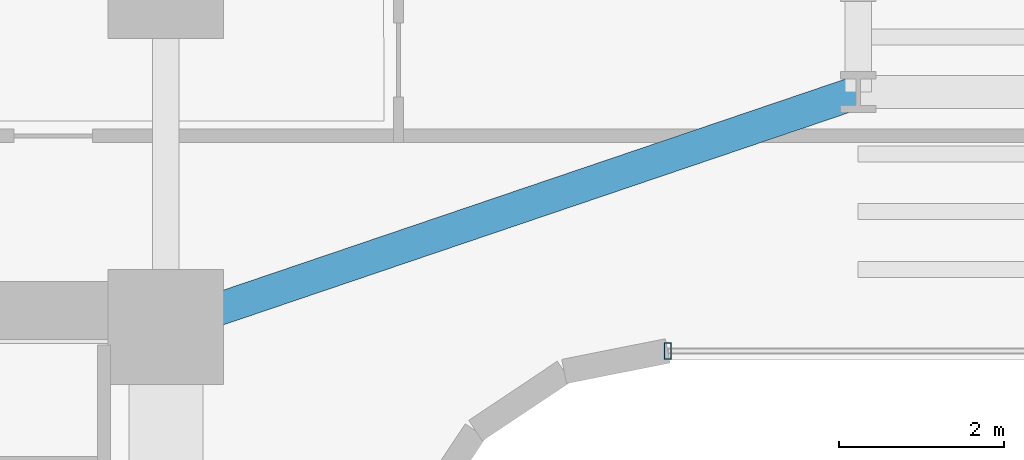
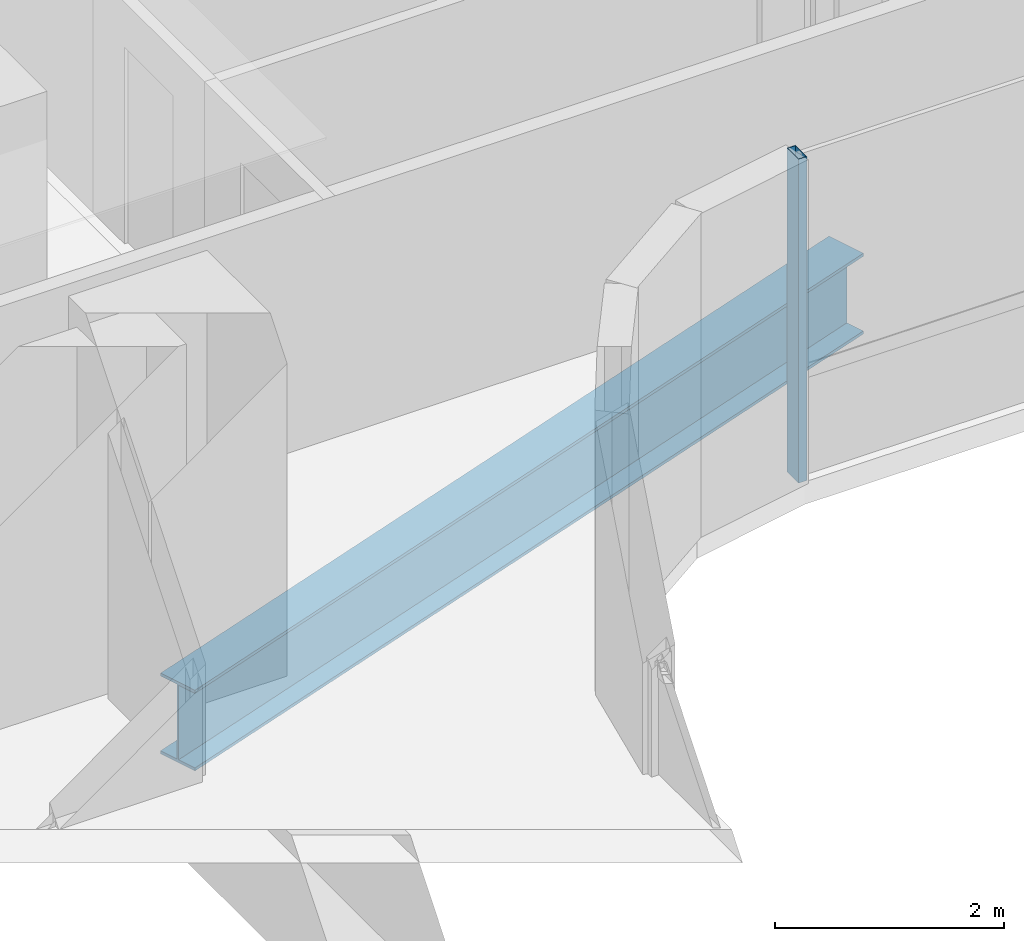
# One storey, part 11 of 40: 1 beam, 1 member, 1 element without a shape of its own.
"""IFC4 building model written with IfcOpenShell, lengths in metres."""

from ifc_helpers import new_model, si_unit, direction, frame, origin, origin_2d, place, context, subcontext, project, spatial, hollow_rectangle, i_section, extrude, source, transform, mapped, material, material_profile, profile_set, type_object, element, aggregate, save


model = new_model("IFC4")

# Units and contexts
model_context = context("Model", 3, precision=1e-05, world=origin(), true_north=direction((0.0, 1.0)))
body_context = subcontext(model_context, "Body", "Model", "MODEL_VIEW")
ifc_project = project(units=[si_unit("LENGTHUNIT", "METRE"), si_unit("AREAUNIT", "SQUARE_METRE"), si_unit("VOLUMEUNIT", "CUBIC_METRE"), si_unit("PLANEANGLEUNIT", "RADIAN"), si_unit("MASSUNIT", "GRAM", prefix="KILO")], contexts=[model_context])

# Site, building, storey
site_placement = place(None, origin())
site = spatial("IfcSite", under=ifc_project, at=site_placement, CompositionType="ELEMENT")
building_placement = place(site_placement, origin())
building = spatial("IfcBuilding", under=site, at=building_placement, Name="Valdorenza Pilgrim Sanctuary Tower", CompositionType="ELEMENT")
storey_placement = place(building_placement, frame((0.0, 0.0, 44.5)))
storey = spatial("IfcBuildingStorey", under=building, at=storey_placement, Name="L10", CompositionType="ELEMENT", Elevation=44.5)

# Beam
ifc_material_1 = material(Name="Steel ASTM A992 Grade 50", Category="steel")
ifc_material_profile_1 = material_profile(ifc_material_1, i_section(OverallWidth=0.39990234375, OverallDepth=0.862060546875, WebThickness=0.019775390625, FlangeThickness=0.032470703125, at=origin_2d()), Name="W33X221")
ifc_profile_set_1 = profile_set([ifc_material_profile_1], Name="Steel ASTM A992 Grade 50")
beam_type = type_object("IfcBeamType", Name="STR-BM-GRD-W33", PredefinedType="BEAM", material=ifc_profile_set_1)
shared_shape_1 = source(origin(), body_context, "Body", "SweptSolid", [
    extrude(i_section(OverallWidth=0.39990234375, OverallDepth=0.862060546875, WebThickness=0.019775390625, FlangeThickness=0.032470703125, at=origin_2d()), origin(), (0.0, 0.0, 1.0), 8.8701171875),
])
beam_placement = place(storey_placement, frame((-12.39990234375, 10.60009765625, -0.6708984375), z_axis=(0.946982588361, 0.321284885018, 0.0), x_axis=(-0.321284885018, 0.946982588361, 0.0)))
element("IfcBeam", 1, at=beam_placement, inside=storey, type_object=beam_type, Name="L10 Floor Girder KNK-G1", PredefinedType="BEAM", context=body_context, shape_type="MappedRepresentation", body=[
    mapped(shared_shape_1, transform((0.0, 0.0, 0.0), x_axis=(1.0, 0.0, 0.0), y_axis=(0.0, 1.0, 0.0), z_axis=(0.0, 0.0, 1.0), scale=1.0)),
])

# Curtain wall, member
ifc_material_2 = material(Name="Curtain-wall IGU glazing", Category="glass")
curtain_wall_type = type_object("IfcCurtainWallType", Name="CW-SYS-02", PredefinedType="NOTDEFINED", material=ifc_material_2)
curtain_wall_placement = place(storey_placement, origin())
curtain_wall = element("IfcCurtainWall", 2, at=curtain_wall_placement, inside=storey, type_object=curtain_wall_type, Name="L10 Curtain Wall CW-L10-1-36", PredefinedType="NOTDEFINED")
ifc_material_3 = material(Name="Anodised aluminium AW-6060", Category="aluminium")
ifc_material_profile_2 = material_profile(ifc_material_3, hollow_rectangle(XDim=0.0849609375, YDim=0.199951171875, WallThickness=0.0048828125, at=origin_2d()), Name="ALU-M 200x85x5")
ifc_profile_set_2 = profile_set([ifc_material_profile_2], Name="Anodised aluminium AW-6060")
member_type = type_object("IfcMemberType", Name="CW-MUL-02", PredefinedType="MULLION", material=ifc_profile_set_2)
shared_shape_2 = source(origin(), body_context, "Body", "SweptSolid", [
    extrude(hollow_rectangle(XDim=0.0849609375, YDim=0.199951171875, WallThickness=0.0048828125, at=origin_2d()), origin(), (0.0, 0.0, 1.0), 3.4599609375),
])
member_placement = place(storey_placement, frame((-6.310791015625, 10.31005859375, 0.0), z_axis=(0.0, 0.0, 1.0), x_axis=(-1.0, 0.0, 0.0)))
member = element("IfcMember", 3, at=member_placement, type_object=member_type, Name="CW-L10-1-36 Mullion 4", PredefinedType="MULLION", context=body_context, shape_type="MappedRepresentation", body=[
    mapped(shared_shape_2, transform((0.0, 0.0, 0.0), x_axis=(1.0, 0.0, 0.0), y_axis=(0.0, 1.0, 0.0), z_axis=(0.0, 0.0, 1.0), scale=1.0)),
])
aggregate(curtain_wall, [member])

save(model, "model.ifc")
